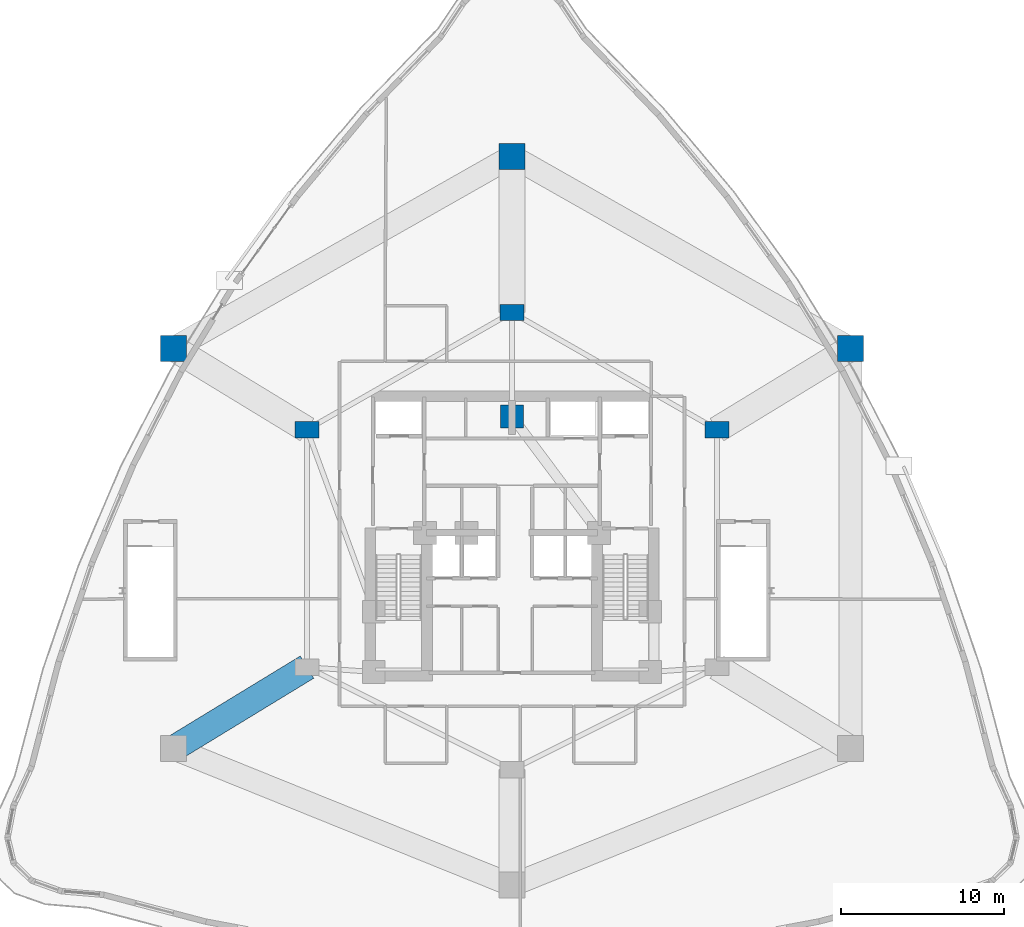
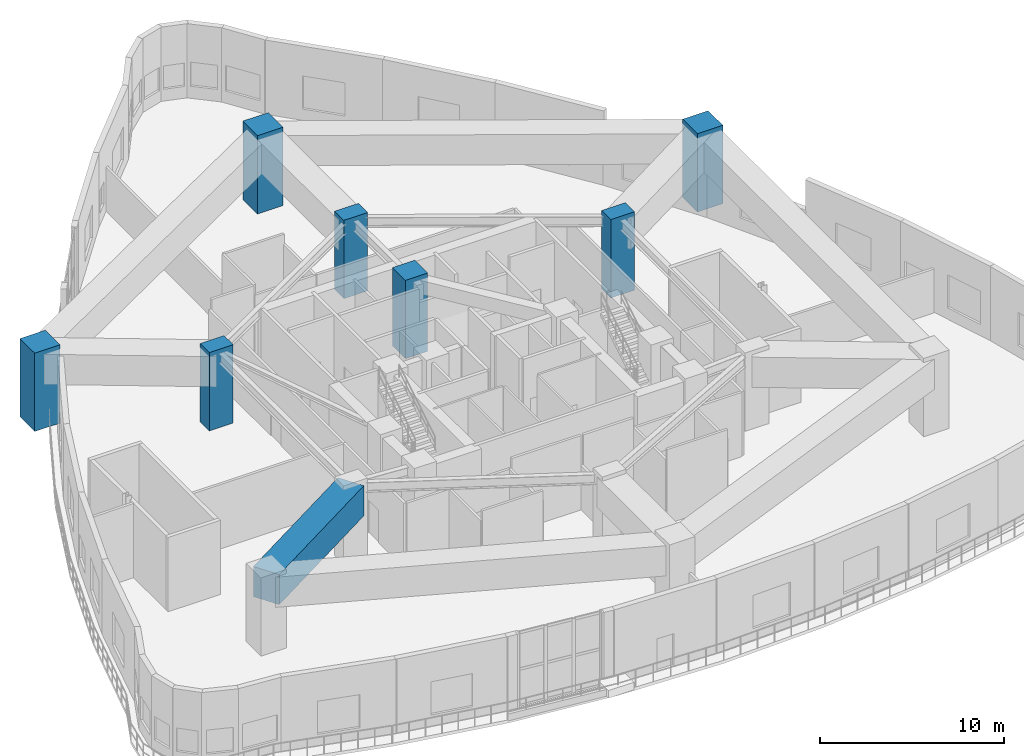
# One storey, part 3 of 19: 7 columns, 1 beam.
"""IFC4 building model written with IfcOpenShell, lengths in metres."""

from ifc_helpers import new_model, si_unit, direction, frame, origin, origin_2d, place, context, subcontext, project, spatial, rectangle, extrude, material, material_profile, profile_set, type_object, element, save


model = new_model("IFC4")

# Units and contexts
model_context = context("Model", 3, precision=1e-05, world=origin(), true_north=direction((0.0, 1.0)))
body_context = subcontext(model_context, "Body", "Model", "MODEL_VIEW")
ifc_project = project(units=[si_unit("LENGTHUNIT", "METRE"), si_unit("AREAUNIT", "SQUARE_METRE"), si_unit("VOLUMEUNIT", "CUBIC_METRE"), si_unit("PLANEANGLEUNIT", "RADIAN"), si_unit("MASSUNIT", "GRAM", prefix="KILO")], contexts=[model_context])

# Site, building, storey
site_placement = place(None, origin())
site = spatial("IfcSite", under=ifc_project, at=site_placement, CompositionType="ELEMENT")
building_placement = place(site_placement, origin())
building = spatial("IfcBuilding", under=site, at=building_placement, Name="Miruveldt Soraemaru", CompositionType="ELEMENT")
storey_placement = place(building_placement, frame((0.0, 0.0, 24.0)))
storey = spatial("IfcBuildingStorey", under=building, at=storey_placement, Name="L06", CompositionType="ELEMENT", Elevation=24.0)

# Columns
ifc_material_1 = material(Name="Concrete C80/95 (80 MPa)", Category="concrete")
ifc_material_profile_1 = material_profile(ifc_material_1, rectangle(XDim=1.39990234375, YDim=1.39990234375, at=origin_2d()), Name="Concrete C80/95 (80 MPa)", Category="concrete")
ifc_profile_set_1 = profile_set([ifc_material_profile_1], Name="Concrete C80/95 (80 MPa)")
column_type_1 = type_object("IfcColumnType", Name="COL-MEGA-1400", PredefinedType="COLUMN", material=ifc_profile_set_1)
column_placement = place(storey_placement, frame((44.0, 51.199951171875, 0.0), z_axis=(0.0, 0.0, 1.0), x_axis=(1.0, 0.0, 0.0)))
element("IfcColumn", 1, at=column_placement, inside=storey, type_object=column_type_1, Name="L06 Structural Column CC6", PredefinedType="COLUMN", context=body_context, shape_type="SweptSolid", body=[
    extrude(rectangle(XDim=1.39990234375, YDim=1.39990234375, at=origin_2d()), origin(), (0.0, 0.0, 1.0), 5.199951171875),
])
ifc_material_profile_2 = material_profile(ifc_material_1, rectangle(XDim=1.60009765625, YDim=1.60009765625, at=origin_2d()), Name="Concrete C80/95 (80 MPa)", Category="concrete")
ifc_profile_set_2 = profile_set([ifc_material_profile_2], Name="Concrete C80/95 (80 MPa)")
column_type_2 = type_object("IfcColumnType", Name="COL-MEGA-1600", PredefinedType="COLUMN", material=ifc_profile_set_2)
for number, where, z_axis, x_axis, name in (
    (2, (44.0, 67.199951171875, 0.0), (0.0, 0.0, 1.0), (1.0, 0.0, 0.0), "L06 Structural Column PM01"),
    (3, (64.800048828125, 55.39990234375, 0.0), (0.0, 0.0, 1.0), (1.0, 0.0, 0.0), "L06 Structural Column PM02"),
    (4, (23.199951171875, 55.39990234375, 0.0), (0.0, 0.0, 1.0), (1.0, 0.0, 0.0), "L06 Structural Column PM06"),
):
    element("IfcColumn", number, at=place(storey_placement, frame(where, z_axis=z_axis, x_axis=x_axis)), inside=storey, type_object=column_type_2, Name=name, PredefinedType="COLUMN", context=body_context, shape_type="SweptSolid", body=[
        extrude(rectangle(XDim=1.60009765625, YDim=1.60009765625, at=origin_2d()), origin(), (0.0, 0.0, 1.0), 5.199951171875),
    ])
ifc_material_profile_3 = material_profile(ifc_material_1, rectangle(XDim=1.5, YDim=1.0, at=origin_2d()), Name="Concrete C80/95 (80 MPa)", Category="concrete")
ifc_profile_set_3 = profile_set([ifc_material_profile_3], Name="Concrete C80/95 (80 MPa)")
column_type_3 = type_object("IfcColumnType", Name="COL-TW-Z1A", PredefinedType="COLUMN", material=ifc_profile_set_3)
for number, where, z_axis, x_axis, name in (
    (5, (44.0, 57.60009765625, 0.0), (0.0, 0.0, 1.0), (1.0, 0.0, 0.0), "L06 Structural Column IR01"),
    (6, (56.60009765625, 50.39990234375, 0.0), (0.0, 0.0, 1.0), (1.0, 0.0, 0.0), "L06 Structural Column IR02"),
    (7, (31.39990234375, 50.39990234375, 0.0), (0.0, 0.0, 1.0), (1.0, 0.0, 0.0), "L06 Structural Column IR06"),
):
    element("IfcColumn", number, at=place(storey_placement, frame(where, z_axis=z_axis, x_axis=x_axis)), inside=storey, type_object=column_type_3, Name=name, PredefinedType="COLUMN", context=body_context, shape_type="SweptSolid", body=[
        extrude(rectangle(XDim=1.5, YDim=1.0, at=origin_2d()), origin(), (0.0, 0.0, 1.0), 5.199951171875),
    ])

# Beam
ifc_material_2 = material(Name="Concrete C70/85 (70 MPa)", Category="concrete")
ifc_material_profile_4 = material_profile(ifc_material_2, rectangle(XDim=1.60009765625, YDim=2.0, at=origin_2d()), Name="Concrete C70/85 (70 MPa)", Category="concrete")
ifc_profile_set_4 = profile_set([ifc_material_profile_4], Name="Concrete C70/85 (70 MPa)")
beam_type = type_object("IfcBeamType", Name="BM-TG-1600x2000", PredefinedType="USERDEFINED", material=ifc_profile_set_4)
beam_placement = place(storey_placement, frame((31.39990234375, 35.800048828125, 3.925048828125), z_axis=(-0.853794797843, -0.520609684098, 0.0), x_axis=(0.520609684098, -0.853794797843, 0.0)))
element("IfcBeam", 8, at=beam_placement, inside=storey, type_object=beam_type, Name="L06 Continuous Radial Transfer Girder 5", ObjectType="TRANSFER GIRDER", PredefinedType="USERDEFINED", context=body_context, shape_type="SweptSolid", body=[
    extrude(rectangle(XDim=1.60009765625, YDim=2.0, at=origin_2d()), origin(), (0.0, 0.0, 1.0), 9.60400390625),
])

save(model, "model.ifc")
